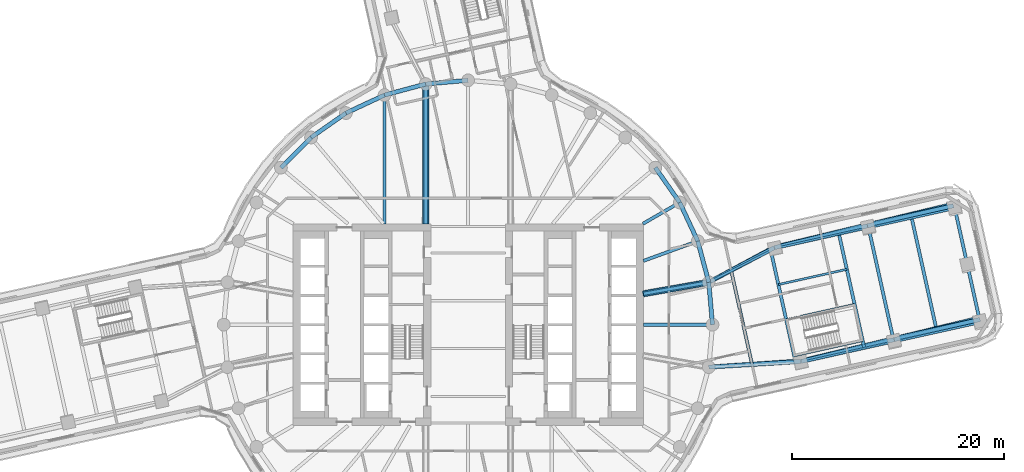
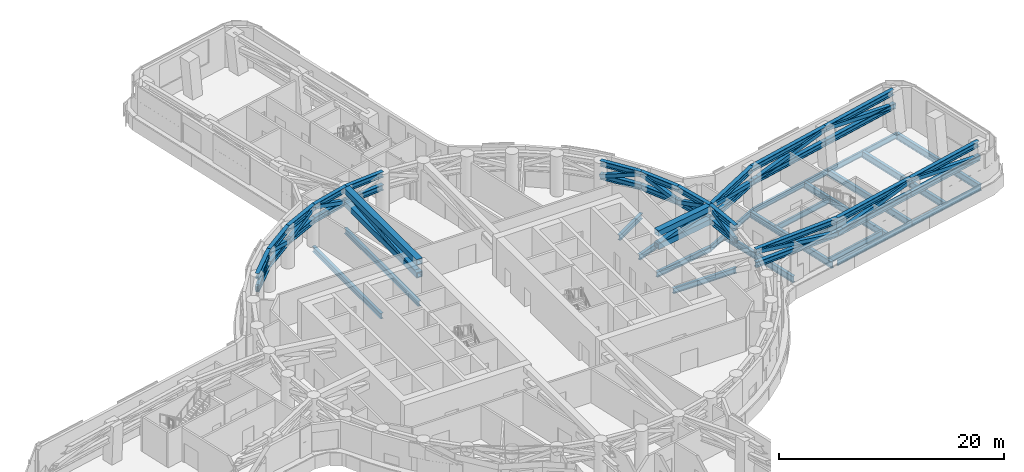
# One storey, part 4 of 22: 50 members, 21 beams.
"""IFC4 building model written with IfcOpenShell, lengths in metres."""

from ifc_helpers import new_model, si_unit, direction, frame, origin, origin_2d, place, context, subcontext, project, spatial, hollow_rectangle, i_section, extrude, material, material_profile, profile_set, type_object, element, save


model = new_model("IFC4")

# Units and contexts
model_context = context("Model", 3, precision=1e-05, world=origin(), true_north=direction((0.0, 1.0)))
body_context = subcontext(model_context, "Body", "Model", "MODEL_VIEW")
ifc_project = project(units=[si_unit("LENGTHUNIT", "METRE"), si_unit("AREAUNIT", "SQUARE_METRE"), si_unit("VOLUMEUNIT", "CUBIC_METRE"), si_unit("PLANEANGLEUNIT", "RADIAN"), si_unit("MASSUNIT", "GRAM", prefix="KILO")], contexts=[model_context])

# Site, building, storey
site_placement = place(None, origin())
site = spatial("IfcSite", under=ifc_project, at=site_placement, CompositionType="ELEMENT")
building_placement = place(site_placement, origin())
building = spatial("IfcBuilding", under=site, at=building_placement, Name="Tamarind Cross Interchange Tower", CompositionType="ELEMENT")
storey_placement = place(building_placement, frame((0.0, 0.0, 79.0)))
storey = spatial("IfcBuildingStorey", under=building, at=storey_placement, Name="L18", CompositionType="ELEMENT", Elevation=79.0)

# Beams
ifc_material_1 = material(Name="Steel Q355B", Category="steel")
ifc_material_profile_1 = material_profile(ifc_material_1, i_section(OverallWidth=0.302001953125, OverallDepth=0.593994140625, WebThickness=0.013916015625, FlangeThickness=0.02294921875, FilletRadius=0.01806640625, at=origin_2d()), Name="HM 594x302x14x23")
ifc_profile_set_1 = profile_set([ifc_material_profile_1], Name="Steel Q355B")
beam_type_1 = type_object("IfcBeamType", Name="Composite beam HM 594x302x14x23 Q355B", PredefinedType="BEAM", material=ifc_profile_set_1)
beam_1_placement = place(storey_placement, frame((23.0, 0.0, -0.47705078125), z_axis=(-1.0, 0.0, 0.0), x_axis=(0.0, -1.0, 0.0)))
element("IfcBeam", 1, at=beam_1_placement, inside=storey, type_object=beam_type_1, Name="Beam HH00", PredefinedType="BEAM", context=body_context, shape_type="SweptSolid", body=[
    extrude(i_section(OverallWidth=0.302001953125, OverallDepth=0.593994140625, WebThickness=0.013916015625, FlangeThickness=0.02294921875, FilletRadius=0.01806640625, at=origin_2d()), origin(), (0.0, 0.0, 1.0), 6.5),
])
beam_2_placement = place(storey_placement, frame((22.650634765625, 3.993896484375, -0.47705078125), z_axis=(-0.984809127561, -0.173640382036, 0.0), x_axis=(0.173640382036, -0.984809127561, 0.0)))
element("IfcBeam", 2, at=beam_2_placement, inside=storey, type_object=beam_type_1, Name="Beam HH01", PredefinedType="BEAM", context=body_context, shape_type="SweptSolid", body=[
    extrude(i_section(OverallWidth=0.302001953125, OverallDepth=0.593994140625, WebThickness=0.013916015625, FlangeThickness=0.02294921875, FilletRadius=0.01806640625, at=origin_2d()), origin(), (0.0, 0.0, 1.0), 6.24560546875),
])
beam_3_placement = place(storey_placement, frame((21.613037109375, 7.866455078125, -0.47705078125), z_axis=(-0.939701685589, -0.341995236956, 0.0), x_axis=(0.341995236956, -0.939701685589, 0.0)))
element("IfcBeam", 3, at=beam_3_placement, inside=storey, type_object=beam_type_1, Name="Beam HH02", PredefinedType="BEAM", context=body_context, shape_type="SweptSolid", body=[
    extrude(i_section(OverallWidth=0.302001953125, OverallDepth=0.593994140625, WebThickness=0.013916015625, FlangeThickness=0.02294921875, FilletRadius=0.01806640625, at=origin_2d()), origin(), (0.0, 0.0, 1.0), 5.441162109375),
])
beam_4_placement = place(storey_placement, frame((19.918701171875, 11.5, -0.47705078125), z_axis=(-0.866026010844, -0.49999894854, 0.0), x_axis=(0.49999894854, -0.866026010844, 0.0)))
element("IfcBeam", 4, at=beam_4_placement, inside=storey, type_object=beam_type_1, Name="Beam HH03", PredefinedType="BEAM", context=body_context, shape_type="SweptSolid", body=[
    extrude(i_section(OverallWidth=0.302001953125, OverallDepth=0.593994140625, WebThickness=0.013916015625, FlangeThickness=0.02294921875, FilletRadius=0.01806640625, at=origin_2d()), origin(), (0.0, 0.0, 1.0), 4.0),
])
beam_5_placement = place(storey_placement, frame((-3.993896484375, 22.650634765625, -0.47705078125), z_axis=(0.0, -1.0, 0.0), x_axis=(1.0, 0.0, 0.0)))
element("IfcBeam", 5, at=beam_5_placement, inside=storey, type_object=beam_type_1, Name="Beam HH10", PredefinedType="BEAM", context=body_context, shape_type="SweptSolid", body=[
    extrude(i_section(OverallWidth=0.302001953125, OverallDepth=0.593994140625, WebThickness=0.013916015625, FlangeThickness=0.02294921875, FilletRadius=0.01806640625, at=origin_2d()), origin(), (0.0, 0.0, 1.0), 13.150634765625),
])
beam_6_placement = place(storey_placement, frame((-7.866455078125, 21.613037109375, -0.47705078125), z_axis=(0.0, -1.0, 0.0), x_axis=(1.0, 0.0, 0.0)))
element("IfcBeam", 6, at=beam_6_placement, inside=storey, type_object=beam_type_1, Name="Beam HH11", PredefinedType="BEAM", context=body_context, shape_type="SweptSolid", body=[
    extrude(i_section(OverallWidth=0.302001953125, OverallDepth=0.593994140625, WebThickness=0.013916015625, FlangeThickness=0.02294921875, FilletRadius=0.01806640625, at=origin_2d()), origin(), (0.0, 0.0, 1.0), 12.113037109375),
])
ifc_material_profile_2 = material_profile(ifc_material_1, i_section(OverallWidth=0.199951171875, OverallDepth=0.60009765625, WebThickness=0.010986328125, FlangeThickness=0.01708984375, FilletRadius=0.012939453125, at=origin_2d()), Name="HN 600x200x11x17")
ifc_profile_set_2 = profile_set([ifc_material_profile_2], Name="Steel Q355B")
beam_type_2 = type_object("IfcBeamType", Name="Composite beam HN 600x200x11x17 Q355B", PredefinedType="BEAM", material=ifc_profile_set_2)
beam_7_placement = place(storey_placement, frame((48.201171875, 0.1923828125, -0.47998046875), z_axis=(-0.97615528254, -0.217073407789, 0.0), x_axis=(0.217073407789, -0.97615528254, 0.0)))
element("IfcBeam", 7, at=beam_7_placement, inside=storey, type_object=beam_type_2, Name="Beam E-edgeem5", PredefinedType="BEAM", context=body_context, shape_type="SweptSolid", body=[
    extrude(i_section(OverallWidth=0.199951171875, OverallDepth=0.60009765625, WebThickness=0.010986328125, FlangeThickness=0.01708984375, FilletRadius=0.012939453125, at=origin_2d()), origin(), (0.0, 0.0, 1.0), 8.318115234375),
])
beam_8_placement = place(storey_placement, frame((40.081298828125, -1.61328125, -0.47998046875), z_axis=(-0.976150664899, -0.217094171771, 0.0), x_axis=(0.217094171771, -0.976150664899, 0.0)))
element("IfcBeam", 8, at=beam_8_placement, inside=storey, type_object=beam_type_2, Name="Beam E-edgeem6", PredefinedType="BEAM", context=body_context, shape_type="SweptSolid", body=[
    extrude(i_section(OverallWidth=0.199951171875, OverallDepth=0.60009765625, WebThickness=0.010986328125, FlangeThickness=0.01708984375, FilletRadius=0.012939453125, at=origin_2d()), origin(), (0.0, 0.0, 1.0), 9.0),
])
beam_9_placement = place(storey_placement, frame((45.813232421875, 10.929931640625, -0.47998046875), z_axis=(-0.976153899478, -0.217079627174, 0.0), x_axis=(0.217079627174, -0.976153899478, 0.0)))
element("IfcBeam", 9, at=beam_9_placement, inside=storey, type_object=beam_type_2, Name="Beam E-edgeep2", PredefinedType="BEAM", context=body_context, shape_type="SweptSolid", body=[
    extrude(i_section(OverallWidth=0.199951171875, OverallDepth=0.60009765625, WebThickness=0.010986328125, FlangeThickness=0.01708984375, FilletRadius=0.012939453125, at=origin_2d()), origin(), (0.0, 0.0, 1.0), 8.31787109375),
])
beam_10_placement = place(storey_placement, frame((37.693603515625, 9.124267578125, -0.47998046875), z_axis=(-0.976156413168, -0.217068323417, 0.0), x_axis=(0.217068323417, -0.976156413168, 0.0)))
element("IfcBeam", 10, at=beam_10_placement, inside=storey, type_object=beam_type_2, Name="Beam E-edgeep3", PredefinedType="BEAM", context=body_context, shape_type="SweptSolid", body=[
    extrude(i_section(OverallWidth=0.199951171875, OverallDepth=0.60009765625, WebThickness=0.010986328125, FlangeThickness=0.01708984375, FilletRadius=0.012939453125, at=origin_2d()), origin(), (0.0, 0.0, 1.0), 9.0),
])
beam_11_placement = place(storey_placement, frame((28.908203125, 7.170654296875, -0.47998046875), z_axis=(-0.891676058786, -0.452674061758, 0.0), x_axis=(0.452674061758, -0.891676058786, 0.0)))
element("IfcBeam", 11, at=beam_11_placement, inside=storey, type_object=beam_type_2, Name="Beam E-linkep", PredefinedType="BEAM", context=body_context, shape_type="SweptSolid", body=[
    extrude(i_section(OverallWidth=0.199951171875, OverallDepth=0.60009765625, WebThickness=0.010986328125, FlangeThickness=0.01708984375, FilletRadius=0.012939453125, at=origin_2d()), origin(), (0.0, 0.0, 1.0), 7.017822265625),
])
for number, where, z_axis, x_axis, name in (
    (12, (30.69384765625, -2.9326171875, -0.47998046875), (0.976157458241, 0.217063623667, 0.0), (-0.217063623667, 0.976157458241, 0.0), "Beam E-tr0"),
    (13, (29.93408203125, 0.48388671875, -0.47998046875), (0.976157458241, 0.217063623667, 0.0), (-0.217063623667, 0.976157458241, 0.0), "Beam E-tr1"),
    (14, (29.201416015625, 3.7783203125, -0.47998046875), (0.976149619693, 0.217098871423, 0.0), (-0.217098871423, 0.976149619693, 0.0), "Beam E-stripp"),
):
    element("IfcBeam", number, at=place(storey_placement, frame(where, z_axis=z_axis, x_axis=x_axis)), inside=storey, type_object=beam_type_2, Name=name, PredefinedType="BEAM", context=body_context, shape_type="SweptSolid", body=[
        extrude(i_section(OverallWidth=0.199951171875, OverallDepth=0.60009765625, WebThickness=0.010986328125, FlangeThickness=0.01708984375, FilletRadius=0.012939453125, at=origin_2d()), origin(), (0.0, 0.0, 1.0), 6.60009765625),
    ])
ifc_material_profile_3 = material_profile(ifc_material_1, i_section(OverallWidth=0.300048828125, OverallDepth=0.699951171875, WebThickness=0.012939453125, FlangeThickness=0.02392578125, FilletRadius=0.01806640625, at=origin_2d()), Name="HN 700x300x13x24")
ifc_profile_set_3 = profile_set([ifc_material_profile_3], Name="Steel Q355B")
beam_type_3 = type_object("IfcBeamType", Name="Composite beam HN 700x300x13x24 Q355B", PredefinedType="BEAM", material=ifc_profile_set_3)
beam_12_placement = place(storey_placement, frame((48.201171875, 0.1923828125, -0.530029296875), z_axis=(-0.217062056084, 0.976157806816, 0.0), x_axis=(-0.976157806816, -0.217062056084, 0.0)))
element("IfcBeam", 15, at=beam_12_placement, inside=storey, type_object=beam_type_3, Name="Beam E-tip0", PredefinedType="BEAM", context=body_context, shape_type="SweptSolid", body=[
    extrude(i_section(OverallWidth=0.300048828125, OverallDepth=0.699951171875, WebThickness=0.012939453125, FlangeThickness=0.02392578125, FilletRadius=0.01806640625, at=origin_2d()), origin(), (0.0, 0.0, 1.0), 5.5),
])
beam_13_placement = place(storey_placement, frame((47.00732421875, 5.561279296875, -0.530029296875), z_axis=(-0.217113760499, 0.976146308195, 0.0), x_axis=(-0.976146308195, -0.217113760499, 0.0)))
element("IfcBeam", 16, at=beam_13_placement, inside=storey, type_object=beam_type_3, Name="Beam E-tip1", PredefinedType="BEAM", context=body_context, shape_type="SweptSolid", body=[
    extrude(i_section(OverallWidth=0.300048828125, OverallDepth=0.699951171875, WebThickness=0.012939453125, FlangeThickness=0.02392578125, FilletRadius=0.01806640625, at=origin_2d()), origin(), (0.0, 0.0, 1.0), 5.499755859375),
])
beam_14_placement = place(storey_placement, frame((30.840087890625, -3.589599609375, -0.530029296875), z_axis=(-0.217088318067, 0.976151966734, 0.0), x_axis=(-0.976151966734, -0.217088318067, 0.0)))
element("IfcBeam", 17, at=beam_14_placement, inside=storey, type_object=beam_type_3, Name="Beam E-x298", PredefinedType="BEAM", context=body_context, shape_type="SweptSolid", body=[
    extrude(i_section(OverallWidth=0.300048828125, OverallDepth=0.699951171875, WebThickness=0.012939453125, FlangeThickness=0.02392578125, FilletRadius=0.01806640625, at=origin_2d()), origin(), (0.0, 0.0, 1.0), 10.8076171875),
])
for number, where, z_axis, x_axis, name in (
    (18, (37.29931640625, -2.23193359375, -0.530029296875), (-0.217087907932, 0.976152057945, 0.0), (-0.976152057945, -0.217087907932, 0.0), "Beam E-x364"),
    (19, (40.081298828125, -1.61328125, -0.530029296875), (-0.217066758902, 0.976156761069, 0.0), (-0.976156761069, -0.217066758902, 0.0), "Beam E-x393"),
):
    element("IfcBeam", number, at=place(storey_placement, frame(where, z_axis=z_axis, x_axis=x_axis)), inside=storey, type_object=beam_type_3, Name=name, PredefinedType="BEAM", context=body_context, shape_type="SweptSolid", body=[
        extrude(i_section(OverallWidth=0.300048828125, OverallDepth=0.699951171875, WebThickness=0.012939453125, FlangeThickness=0.02392578125, FilletRadius=0.01806640625, at=origin_2d()), origin(), (0.0, 0.0, 1.0), 10.999755859375),
    ])
beam_15_placement = place(storey_placement, frame((26.736083984375, -3.792236328125, -0.530029296875), z_axis=(-0.217072860623, 0.976155404216, 0.0), x_axis=(-0.976155404216, -0.217072860623, 0.0)))
element("IfcBeam", 20, at=beam_15_placement, inside=storey, type_object=beam_type_3, Name="Beam E-x258", PredefinedType="BEAM", context=body_context, shape_type="SweptSolid", body=[
    extrude(i_section(OverallWidth=0.300048828125, OverallDepth=0.699951171875, WebThickness=0.012939453125, FlangeThickness=0.02392578125, FilletRadius=0.01806640625, at=origin_2d()), origin(), (0.0, 0.0, 1.0), 9.076171875),
])
beam_16_placement = place(storey_placement, frame((44.141357421875, -0.71044921875, -0.530029296875), z_axis=(-0.217087907932, 0.976152057945, 0.0), x_axis=(-0.976152057945, -0.217087907932, 0.0)))
element("IfcBeam", 21, at=beam_16_placement, inside=storey, type_object=beam_type_3, Name="Beam E-x435", PredefinedType="BEAM", context=body_context, shape_type="SweptSolid", body=[
    extrude(i_section(OverallWidth=0.300048828125, OverallDepth=0.699951171875, WebThickness=0.012939453125, FlangeThickness=0.02392578125, FilletRadius=0.01806640625, at=origin_2d()), origin(), (0.0, 0.0, 1.0), 10.999755859375),
])

# Members
ifc_material_2 = material(Name="Steel Q420B", Category="steel")
ifc_material_profile_4 = material_profile(ifc_material_2, i_section(OverallWidth=0.39990234375, OverallDepth=0.60009765625, WebThickness=0.02490234375, FlangeThickness=0.0400390625, at=origin_2d()), Name="BH 600x400x25x40")
ifc_profile_set_4 = profile_set([ifc_material_profile_4], Name="Steel Q420B")
member_type_1 = type_object("IfcMemberType", Name="Truss chord BH 600x400x25x40 Q420B", PredefinedType="CHORD", material=ifc_profile_set_4)
for number, where, z_axis, x_axis, name in (
    (22, (23.0, 0.0, 4.06005859375), (-0.087142021558, 0.996195898445, 0.0), (-0.996195898445, -0.087142021558, 0.0), "Belt truss ring top H00"),
    (23, (23.0, 0.0, 2.64990234375), (-0.087142021558, 0.996195898445, 0.0), (-0.996195898445, -0.087142021558, 0.0), "Belt truss ring bottom H00"),
    (24, (22.650634765625, 3.993896484375, 4.06005859375), (-0.258807108475, 0.96592902462, 0.0), (-0.96592902462, -0.258807108475, 0.0), "Belt truss ring top H01"),
    (25, (22.650634765625, 3.993896484375, 2.64990234375), (-0.258807108475, 0.96592902462, 0.0), (-0.96592902462, -0.258807108475, 0.0), "Belt truss ring bottom H01"),
):
    element("IfcMember", number, at=place(storey_placement, frame(where, z_axis=z_axis, x_axis=x_axis)), inside=storey, type_object=member_type_1, Name=name, PredefinedType="CHORD", context=body_context, shape_type="SweptSolid", body=[
        extrude(i_section(OverallWidth=0.39990234375, OverallDepth=0.60009765625, WebThickness=0.02490234375, FlangeThickness=0.0400390625, at=origin_2d()), origin(), (0.0, 0.0, 1.0), 4.009033203125),
    ])
for number, where, z_axis, x_axis, name in (
    (26, (21.613037109375, 7.866455078125, 4.06005859375), (-0.422615416827, 0.906309113636, 0.0), (-0.906309113636, -0.422615416827, 0.0), "Belt truss ring top H02"),
    (27, (21.613037109375, 7.866455078125, 2.64990234375), (-0.422615416827, 0.906309113636, 0.0), (-0.906309113636, -0.422615416827, 0.0), "Belt truss ring bottom H02"),
    (28, (19.918701171875, 11.5, 4.06005859375), (-0.573568599011, 0.819157531998, 0.0), (-0.819157531998, -0.573568599011, 0.0), "Belt truss ring top H03"),
    (29, (19.918701171875, 11.5, 2.64990234375), (-0.573568599011, 0.819157531998, 0.0), (-0.819157531998, -0.573568599011, 0.0), "Belt truss ring bottom H03"),
):
    element("IfcMember", number, at=place(storey_placement, frame(where, z_axis=z_axis, x_axis=x_axis)), inside=storey, type_object=member_type_1, Name=name, PredefinedType="CHORD", context=body_context, shape_type="SweptSolid", body=[
        extrude(i_section(OverallWidth=0.39990234375, OverallDepth=0.60009765625, WebThickness=0.02490234375, FlangeThickness=0.0400390625, at=origin_2d()), origin(), (0.0, 0.0, 1.0), 4.00927734375),
    ])
for number, where, z_axis, x_axis, name in (
    (30, (0.0, 23.0, 4.06005859375), (-0.996195898445, -0.087142021558, 0.0), (0.087142021558, -0.996195898445, 0.0), "Belt truss ring top H09"),
    (31, (0.0, 23.0, 2.64990234375), (-0.996195898445, -0.087142021558, 0.0), (0.087142021558, -0.996195898445, 0.0), "Belt truss ring bottom H09"),
    (32, (-3.993896484375, 22.650634765625, 4.06005859375), (-0.96592902462, -0.258807108475, 0.0), (0.258807108475, -0.96592902462, 0.0), "Belt truss ring top H10"),
    (33, (-3.993896484375, 22.650634765625, 2.64990234375), (-0.96592902462, -0.258807108475, 0.0), (0.258807108475, -0.96592902462, 0.0), "Belt truss ring bottom H10"),
):
    element("IfcMember", number, at=place(storey_placement, frame(where, z_axis=z_axis, x_axis=x_axis)), inside=storey, type_object=member_type_1, Name=name, PredefinedType="CHORD", context=body_context, shape_type="SweptSolid", body=[
        extrude(i_section(OverallWidth=0.39990234375, OverallDepth=0.60009765625, WebThickness=0.02490234375, FlangeThickness=0.0400390625, at=origin_2d()), origin(), (0.0, 0.0, 1.0), 4.009033203125),
    ])
for number, where, z_axis, x_axis, name in (
    (34, (-7.866455078125, 21.613037109375, 4.06005859375), (-0.906309113636, -0.422615416827, 0.0), (0.422615416827, -0.906309113636, 0.0), "Belt truss ring top H11"),
    (35, (-7.866455078125, 21.613037109375, 2.64990234375), (-0.906309113636, -0.422615416827, 0.0), (0.422615416827, -0.906309113636, 0.0), "Belt truss ring bottom H11"),
    (36, (-11.5, 19.918701171875, 4.06005859375), (-0.819157531998, -0.573568599011, 0.0), (0.573568599011, -0.819157531998, 0.0), "Belt truss ring top H12"),
    (37, (-11.5, 19.918701171875, 2.64990234375), (-0.819157531998, -0.573568599011, 0.0), (0.573568599011, -0.819157531998, 0.0), "Belt truss ring bottom H12"),
    (38, (-14.7841796875, 17.619140625, 4.06005859375), (-0.707106781187, -0.707106781187, 0.0), (0.707106781187, -0.707106781187, 0.0), "Belt truss ring top H13"),
    (39, (-14.7841796875, 17.619140625, 2.64990234375), (-0.707106781187, -0.707106781187, 0.0), (0.707106781187, -0.707106781187, 0.0), "Belt truss ring bottom H13"),
):
    element("IfcMember", number, at=place(storey_placement, frame(where, z_axis=z_axis, x_axis=x_axis)), inside=storey, type_object=member_type_1, Name=name, PredefinedType="CHORD", context=body_context, shape_type="SweptSolid", body=[
        extrude(i_section(OverallWidth=0.39990234375, OverallDepth=0.60009765625, WebThickness=0.02490234375, FlangeThickness=0.0400390625, at=origin_2d()), origin(), (0.0, 0.0, 1.0), 4.00927734375),
    ])
member_1_placement = place(storey_placement, frame((45.618408203125, 11.33251953125, 4.06005859375), z_axis=(-0.972318480378, -0.233659523058, 0.0), x_axis=(0.233659523058, -0.972318480378, 0.0)))
element("IfcMember", 40, at=member_1_placement, inside=storey, type_object=member_type_1, Name="Belt truss arm Eep top", PredefinedType="CHORD", context=body_context, shape_type="SweptSolid", body=[
    extrude(i_section(OverallWidth=0.39990234375, OverallDepth=0.60009765625, WebThickness=0.02490234375, FlangeThickness=0.0400390625, at=origin_2d()), origin(), (0.0, 0.0, 1.0), 8.31298828125),
])
member_2_placement = place(storey_placement, frame((45.68310546875, 11.19873046875, 2.64990234375), z_axis=(-0.973623955141, -0.228158703485, 0.0), x_axis=(0.228158703485, -0.973623955141, 0.0)))
element("IfcMember", 41, at=member_2_placement, inside=storey, type_object=member_type_1, Name="Belt truss arm Eep bottom", PredefinedType="CHORD", context=body_context, shape_type="SweptSolid", body=[
    extrude(i_section(OverallWidth=0.39990234375, OverallDepth=0.60009765625, WebThickness=0.02490234375, FlangeThickness=0.0400390625, at=origin_2d()), origin(), (0.0, 0.0, 1.0), 8.314208984375),
])
member_3_placement = place(storey_placement, frame((37.53564453125, 9.39013671875, 4.06005859375), z_axis=(-0.972315354746, -0.233672529247, 0.0), x_axis=(0.233672529247, -0.972315354746, 0.0)))
element("IfcMember", 42, at=member_3_placement, inside=storey, type_object=member_type_1, Name="Belt truss arm Eep top", PredefinedType="CHORD", context=body_context, shape_type="SweptSolid", body=[
    extrude(i_section(OverallWidth=0.39990234375, OverallDepth=0.60009765625, WebThickness=0.02490234375, FlangeThickness=0.0400390625, at=origin_2d()), origin(), (0.0, 0.0, 1.0), 9.0),
])
member_4_placement = place(storey_placement, frame((37.588134765625, 9.3017578125, 2.64990234375), z_axis=(-0.973620642319, -0.228172839859, 0.0), x_axis=(0.228172839859, -0.973620642319, 0.0)))
element("IfcMember", 43, at=member_4_placement, inside=storey, type_object=member_type_1, Name="Belt truss arm Eep bottom", PredefinedType="CHORD", context=body_context, shape_type="SweptSolid", body=[
    extrude(i_section(OverallWidth=0.39990234375, OverallDepth=0.60009765625, WebThickness=0.02490234375, FlangeThickness=0.0400390625, at=origin_2d()), origin(), (0.0, 0.0, 1.0), 8.99951171875),
])
member_5_placement = place(storey_placement, frame((28.784912109375, 7.287109375, 4.06005859375), z_axis=(-0.881061546526, -0.473001639779, 0.0), x_axis=(0.473001639779, -0.881061546526, 0.0)))
element("IfcMember", 44, at=member_5_placement, inside=storey, type_object=member_type_1, Name="Belt truss arm Eep top", PredefinedType="CHORD", context=body_context, shape_type="SweptSolid", body=[
    extrude(i_section(OverallWidth=0.39990234375, OverallDepth=0.60009765625, WebThickness=0.02490234375, FlangeThickness=0.0400390625, at=origin_2d()), origin(), (0.0, 0.0, 1.0), 6.96240234375),
])
member_6_placement = place(storey_placement, frame((28.825927734375, 7.248291015625, 2.64990234375), z_axis=(-0.884667728332, -0.466222061306, 0.0), x_axis=(0.466222061306, -0.884667728332, 0.0)))
element("IfcMember", 45, at=member_6_placement, inside=storey, type_object=member_type_1, Name="Belt truss arm Eep bottom", PredefinedType="CHORD", context=body_context, shape_type="SweptSolid", body=[
    extrude(i_section(OverallWidth=0.39990234375, OverallDepth=0.60009765625, WebThickness=0.02490234375, FlangeThickness=0.0400390625, at=origin_2d()), origin(), (0.0, 0.0, 1.0), 6.98046875),
])
member_7_placement = place(storey_placement, frame((48.188720703125, 0.63720703125, 4.06005859375), z_axis=(-0.972318480378, -0.233659523058, 0.0), x_axis=(0.233659523058, -0.972318480378, 0.0)))
element("IfcMember", 46, at=member_7_placement, inside=storey, type_object=member_type_1, Name="Belt truss arm Eem top", PredefinedType="CHORD", context=body_context, shape_type="SweptSolid", body=[
    extrude(i_section(OverallWidth=0.39990234375, OverallDepth=0.60009765625, WebThickness=0.02490234375, FlangeThickness=0.0400390625, at=origin_2d()), origin(), (0.0, 0.0, 1.0), 8.31298828125),
])
member_8_placement = place(storey_placement, frame((48.19287109375, 0.4892578125, 2.64990234375), z_axis=(-0.973623955141, -0.228158703485, 0.0), x_axis=(0.228158703485, -0.973623955141, 0.0)))
element("IfcMember", 47, at=member_8_placement, inside=storey, type_object=member_type_1, Name="Belt truss arm Eem bottom", PredefinedType="CHORD", context=body_context, shape_type="SweptSolid", body=[
    extrude(i_section(OverallWidth=0.39990234375, OverallDepth=0.60009765625, WebThickness=0.02490234375, FlangeThickness=0.0400390625, at=origin_2d()), origin(), (0.0, 0.0, 1.0), 8.314208984375),
])
member_9_placement = place(storey_placement, frame((40.10595703125, -1.30517578125, 4.06005859375), z_axis=(-0.972315354746, -0.233672529247, 0.0), x_axis=(0.233672529247, -0.972315354746, 0.0)))
element("IfcMember", 48, at=member_9_placement, inside=storey, type_object=member_type_1, Name="Belt truss arm Eem top", PredefinedType="CHORD", context=body_context, shape_type="SweptSolid", body=[
    extrude(i_section(OverallWidth=0.39990234375, OverallDepth=0.60009765625, WebThickness=0.02490234375, FlangeThickness=0.0400390625, at=origin_2d()), origin(), (0.0, 0.0, 1.0), 9.0),
])
member_10_placement = place(storey_placement, frame((40.097900390625, -1.40771484375, 2.64990234375), z_axis=(-0.973626668585, -0.228147124068, 0.0), x_axis=(0.228147124068, -0.973626668585, 0.0)))
element("IfcMember", 49, at=member_10_placement, inside=storey, type_object=member_type_1, Name="Belt truss arm Eem bottom", PredefinedType="CHORD", context=body_context, shape_type="SweptSolid", body=[
    extrude(i_section(OverallWidth=0.39990234375, OverallDepth=0.60009765625, WebThickness=0.02490234375, FlangeThickness=0.0400390625, at=origin_2d()), origin(), (0.0, 0.0, 1.0), 8.99951171875),
])
member_11_placement = place(storey_placement, frame((31.355224609375, -3.408203125, 4.06005859375), z_axis=(-0.997743982942, -0.067133780644, 0.0), x_axis=(0.067133780644, -0.997743982942, 0.0)))
element("IfcMember", 50, at=member_11_placement, inside=storey, type_object=member_type_1, Name="Belt truss arm Eem top", PredefinedType="CHORD", context=body_context, shape_type="SweptSolid", body=[
    extrude(i_section(OverallWidth=0.39990234375, OverallDepth=0.60009765625, WebThickness=0.02490234375, FlangeThickness=0.0400390625, at=origin_2d()), origin(), (0.0, 0.0, 1.0), 8.724365234375),
])
member_12_placement = place(storey_placement, frame((31.335693359375, -3.4609375, 2.64990234375), z_axis=(-0.998122466782, -0.06124982698, 0.0), x_axis=(0.06124982698, -0.998122466782, 0.0)))
element("IfcMember", 51, at=member_12_placement, inside=storey, type_object=member_type_1, Name="Belt truss arm Eem bottom", PredefinedType="CHORD", context=body_context, shape_type="SweptSolid", body=[
    extrude(i_section(OverallWidth=0.39990234375, OverallDepth=0.60009765625, WebThickness=0.02490234375, FlangeThickness=0.0400390625, at=origin_2d()), origin(), (0.0, 0.0, 1.0), 8.701416015625),
])
ifc_material_profile_5 = material_profile(ifc_material_2, hollow_rectangle(XDim=0.60009765625, YDim=0.60009765625, WallThickness=0.0400390625, at=origin_2d()), Name="BOX 600x600x40")
ifc_profile_set_5 = profile_set([ifc_material_profile_5], Name="Steel Q420B")
member_type_2 = type_object("IfcMemberType", Name="Truss chord BOX 600x600x40 Q420B", PredefinedType="CHORD", material=ifc_profile_set_5)
for number, where, z_axis, x_axis, name in (
    (52, (16.5, 2.909423828125, 4.06005859375), (0.984809127561, 0.173640382036, 0.0), (-0.173640382036, 0.984809127561, 0.0), "Outrigger truss H01 top"),
    (53, (16.5, 2.909423828125, 2.64990234375), (0.984809127561, 0.173640382036, 0.0), (-0.173640382036, 0.984809127561, 0.0), "Outrigger truss H01 bottom"),
):
    element("IfcMember", number, at=place(storey_placement, frame(where, z_axis=z_axis, x_axis=x_axis)), inside=storey, type_object=member_type_2, Name=name, PredefinedType="CHORD", context=body_context, shape_type="SweptSolid", body=[
        extrude(hollow_rectangle(XDim=0.60009765625, YDim=0.60009765625, WallThickness=0.0400390625, at=origin_2d()), origin(), (0.0, 0.0, 1.0), 6.24560546875),
    ])
for number, where, z_axis, x_axis, name in (
    (54, (-3.993896484375, 9.5, 4.06005859375), (0.0, 1.0, 0.0), (-1.0, 0.0, 0.0), "Outrigger truss H10 top"),
    (55, (-3.993896484375, 9.5, 2.64990234375), (0.0, 1.0, 0.0), (-1.0, 0.0, 0.0), "Outrigger truss H10 bottom"),
):
    element("IfcMember", number, at=place(storey_placement, frame(where, z_axis=z_axis, x_axis=x_axis)), inside=storey, type_object=member_type_2, Name=name, PredefinedType="CHORD", context=body_context, shape_type="SweptSolid", body=[
        extrude(hollow_rectangle(XDim=0.60009765625, YDim=0.60009765625, WallThickness=0.0400390625, at=origin_2d()), origin(), (0.0, 0.0, 1.0), 13.150634765625),
    ])
ifc_material_profile_6 = material_profile(ifc_material_2, hollow_rectangle(XDim=0.39990234375, YDim=0.39990234375, WallThickness=0.02490234375, at=origin_2d()), Name="BOX 400x400x25")
ifc_profile_set_6 = profile_set([ifc_material_profile_6], Name="Steel Q420B")
member_type_3 = type_object("IfcMemberType", Name="Truss diagonal BOX 400x400x25 Q420B", PredefinedType="BRACE", material=ifc_profile_set_6)
for number, where, z_axis, x_axis, name in (
    (56, (23.0, 0.0, 2.64990234375), (-0.082205164178, 0.939758407255, 0.331807846464), (-0.996195898445, -0.087142021558, 0.0), "Belt truss ring diagonal H00"),
    (57, (22.650634765625, 3.993896484375, 4.06005859375), (-0.244144953026, 0.911206410564, -0.33180735263), (-0.96592902462, -0.258807108475, 0.0), "Belt truss ring diagonal H01"),
    (58, (21.613037109375, 7.866455078125, 2.64990234375), (-0.398673198935, 0.854964440887, 0.33180639727), (-0.906309113636, -0.422615416827, 0.0), "Belt truss ring diagonal H02"),
    (59, (19.918701171875, 11.5, 4.06005859375), (-0.541075232991, 0.772751251109, -0.331802797086), (-0.819157531998, -0.573568599011, 0.0), "Belt truss ring diagonal H03"),
    (60, (-3.993896484375, 22.650634765625, 2.64990234375), (-0.911206410564, -0.244144953026, 0.33180735263), (0.258807108475, -0.96592902462, 0.0), "Belt truss ring diagonal H10"),
    (61, (-7.866455078125, 21.613037109375, 4.06005859375), (-0.854964440887, -0.398673198935, -0.33180639727), (0.422615416827, -0.906309113636, 0.0), "Belt truss ring diagonal H11"),
    (62, (-11.5, 19.918701171875, 2.64990234375), (-0.772751251109, -0.541075232991, 0.331802797086), (0.573568599011, -0.819157531998, 0.0), "Belt truss ring diagonal H12"),
    (63, (-14.7841796875, 17.619140625, 4.06005859375), (-0.667048751873, -0.667048751873, -0.331801032623), (0.707106781187, -0.707106781187, 0.0), "Belt truss ring diagonal H13"),
):
    element("IfcMember", number, at=place(storey_placement, frame(where, z_axis=z_axis, x_axis=x_axis)), inside=storey, type_object=member_type_3, Name=name, PredefinedType="BRACE", context=body_context, shape_type="SweptSolid", body=[
        extrude(hollow_rectangle(XDim=0.39990234375, YDim=0.39990234375, WallThickness=0.02490234375, at=origin_2d()), origin(), (0.0, 0.0, 1.0), 4.25),
    ])
member_13_placement = place(storey_placement, frame((45.68310546875, 11.19873046875, 2.64990234375), z_axis=(-0.962592475008, -0.213678684372, 0.166604762545), x_axis=(0.216707439801, -0.976236593012, 0.0)))
element("IfcMember", 64, at=member_13_placement, inside=storey, type_object=member_type_3, Name="Belt truss arm Eep diagonal", PredefinedType="BRACE", context=body_context, shape_type="SweptSolid", body=[
    extrude(hollow_rectangle(XDim=0.39990234375, YDim=0.39990234375, WallThickness=0.02490234375, at=origin_2d()), origin(), (0.0, 0.0, 1.0), 8.464111328125),
])
member_14_placement = place(storey_placement, frame((37.53564453125, 9.39013671875, 4.06005859375), z_axis=(-0.959285010999, -0.235902099551, -0.15531409176), x_axis=(0.238799903177, -0.971068795834, 0.0)))
element("IfcMember", 65, at=member_14_placement, inside=storey, type_object=member_type_3, Name="Belt truss arm Eep diagonal", PredefinedType="BRACE", context=body_context, shape_type="SweptSolid", body=[
    extrude(hollow_rectangle(XDim=0.39990234375, YDim=0.39990234375, WallThickness=0.02490234375, at=origin_2d()), origin(), (0.0, 0.0, 1.0), 9.079345703125),
])
member_15_placement = place(storey_placement, frame((28.825927734375, 7.248291015625, 2.64990234375), z_axis=(-0.867149942709, -0.456990145343, 0.198017635372), x_axis=(0.466222061306, -0.884667728332, 0.0)))
element("IfcMember", 66, at=member_15_placement, inside=storey, type_object=member_type_3, Name="Belt truss arm Eep diagonal", PredefinedType="BRACE", context=body_context, shape_type="SweptSolid", body=[
    extrude(hollow_rectangle(XDim=0.39990234375, YDim=0.39990234375, WallThickness=0.02490234375, at=origin_2d()), origin(), (0.0, 0.0, 1.0), 7.121337890625),
])
member_16_placement = place(storey_placement, frame((48.19287109375, 0.4892578125, 2.64990234375), z_axis=(-0.962409353614, -0.213552371364, 0.167820203673), x_axis=(0.216624624174, -0.976254972946, 0.0)))
element("IfcMember", 67, at=member_16_placement, inside=storey, type_object=member_type_3, Name="Belt truss arm Eem diagonal", PredefinedType="BRACE", context=body_context, shape_type="SweptSolid", body=[
    extrude(hollow_rectangle(XDim=0.39990234375, YDim=0.39990234375, WallThickness=0.02490234375, at=origin_2d()), origin(), (0.0, 0.0, 1.0), 8.40283203125),
])
member_17_placement = place(storey_placement, frame((40.10595703125, -1.30517578125, 4.06005859375), z_axis=(-0.95946835179, -0.235840702233, -0.154271335911), x_axis=(0.238698274017, -0.971093782279, 0.0)))
element("IfcMember", 68, at=member_17_placement, inside=storey, type_object=member_type_3, Name="Belt truss arm Eem diagonal", PredefinedType="BRACE", context=body_context, shape_type="SweptSolid", body=[
    extrude(hollow_rectangle(XDim=0.39990234375, YDim=0.39990234375, WallThickness=0.02490234375, at=origin_2d()), origin(), (0.0, 0.0, 1.0), 9.140869140625),
])
member_18_placement = place(storey_placement, frame((31.335693359375, -3.4609375, 2.64990234375), z_axis=(-0.985267910068, -0.060461006569, 0.159973785589), x_axis=(0.06124982698, -0.998122466782, 0.0)))
element("IfcMember", 69, at=member_18_placement, inside=storey, type_object=member_type_3, Name="Belt truss arm Eem diagonal", PredefinedType="BRACE", context=body_context, shape_type="SweptSolid", body=[
    extrude(hollow_rectangle(XDim=0.39990234375, YDim=0.39990234375, WallThickness=0.02490234375, at=origin_2d()), origin(), (0.0, 0.0, 1.0), 8.81494140625),
])
ifc_material_profile_7 = material_profile(ifc_material_2, hollow_rectangle(XDim=0.5, YDim=0.5, WallThickness=0.030029296875, at=origin_2d()), Name="BOX 500x500x30")
ifc_profile_set_7 = profile_set([ifc_material_profile_7], Name="Steel Q420B")
member_type_4 = type_object("IfcMemberType", Name="Truss diagonal BOX 500x500x30 Q420B", PredefinedType="BRACE", material=ifc_profile_set_7)
member_19_placement = place(storey_placement, frame((16.5, 2.909423828125, 2.64990234375), z_axis=(0.960627170611, 0.169376647952, 0.220243025342), x_axis=(-0.173640382036, 0.984809127561, 0.0)))
element("IfcMember", 70, at=member_19_placement, inside=storey, type_object=member_type_4, Name="Outrigger truss H01 diagonal", PredefinedType="BRACE", context=body_context, shape_type="SweptSolid", body=[
    extrude(hollow_rectangle(XDim=0.5, YDim=0.5, WallThickness=0.030029296875, at=origin_2d()), origin(), (0.0, 0.0, 1.0), 6.40283203125),
])
member_20_placement = place(storey_placement, frame((-3.993896484375, 9.5, 2.64990234375), z_axis=(0.0, 0.994299862393, 0.106619808877), x_axis=(-1.0, 0.0, 0.0)))
element("IfcMember", 71, at=member_20_placement, inside=storey, type_object=member_type_4, Name="Outrigger truss H10 diagonal", PredefinedType="BRACE", context=body_context, shape_type="SweptSolid", body=[
    extrude(hollow_rectangle(XDim=0.5, YDim=0.5, WallThickness=0.030029296875, at=origin_2d()), origin(), (0.0, 0.0, 1.0), 13.22607421875),
])

save(model, "model.ifc")
